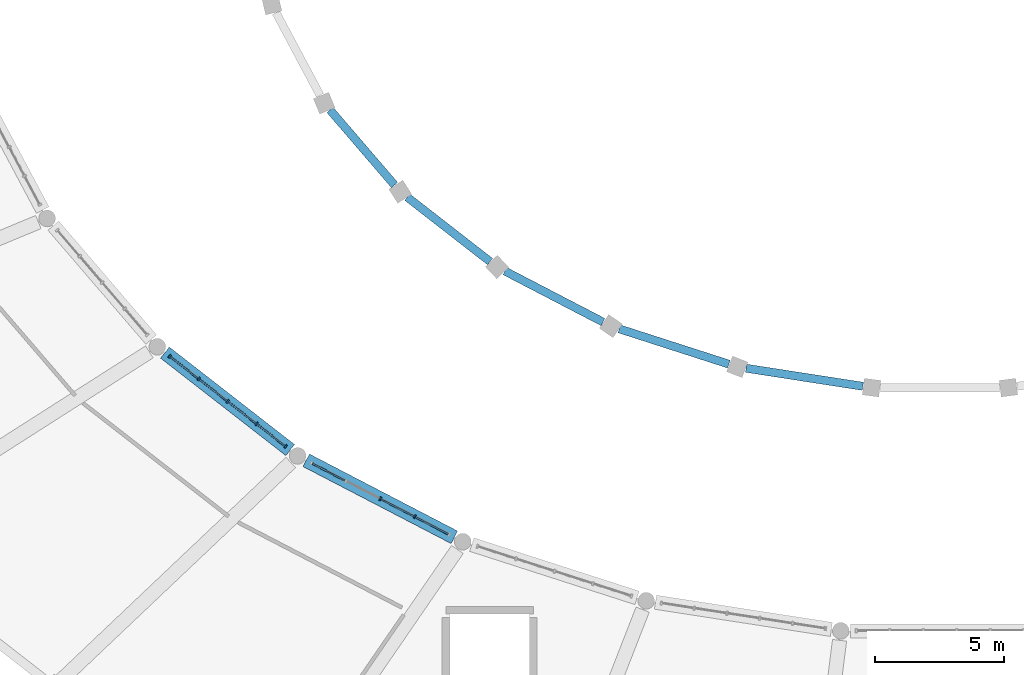
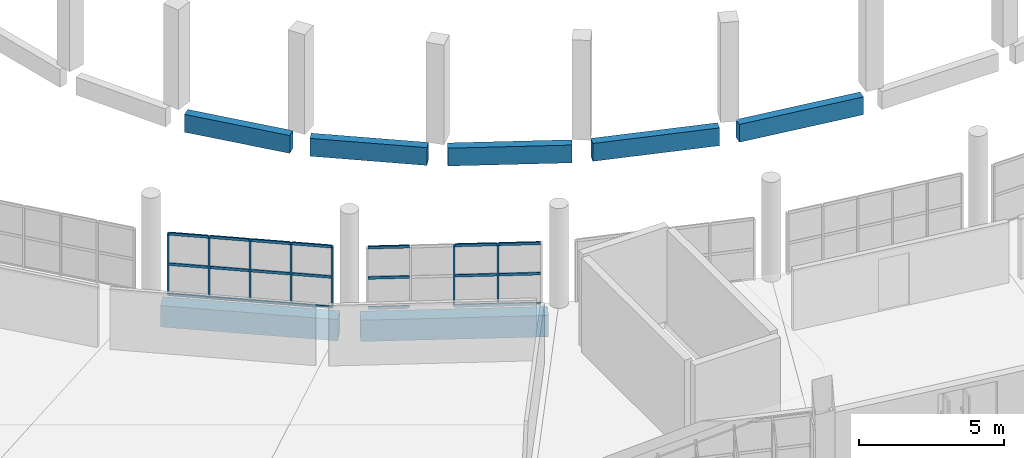
# One storey, part 14 of 142: 28 members, 7 beams, 2 elements without a shape of their own.
"""IFC4 building model written with IfcOpenShell, lengths in metres."""

from ifc_helpers import new_model, si_unit, direction, frame, origin, origin_2d, place, context, subcontext, project, spatial, rectangle, extrude, material, layer, layer_set, material_profile, profile_set, type_object, element, aggregate, save


model = new_model("IFC4")

# Units and contexts
model_context = context("Model", 3, precision=1e-05, world=origin(), true_north=direction((0.0, 1.0)))
body_context = subcontext(model_context, "Body", "Model", "MODEL_VIEW")
ifc_project = project(units=[si_unit("LENGTHUNIT", "METRE"), si_unit("AREAUNIT", "SQUARE_METRE"), si_unit("VOLUMEUNIT", "CUBIC_METRE"), si_unit("PLANEANGLEUNIT", "RADIAN"), si_unit("MASSUNIT", "GRAM", prefix="KILO")], contexts=[model_context])

# Site, building, storey
site_placement = place(None, origin())
site = spatial("IfcSite", under=ifc_project, at=site_placement, CompositionType="ELEMENT")
building_placement = place(site_placement, origin())
building = spatial("IfcBuilding", under=site, at=building_placement, Name="Corvandel Quay Wholesale Market", CompositionType="ELEMENT")
storey_placement = place(building_placement, frame((0.0, 0.0, 10.800048828125)))
storey = spatial("IfcBuildingStorey", under=building, at=storey_placement, Name="L02", CompositionType="ELEMENT", Elevation=10.800048828125)

# Curtain wall, members
ifc_material_1 = material(Name="Bronze anodised aluminium and low-E insulated glazing", Category="aluminium")
ifc_layer_1 = layer(ifc_material_1, 0.18603515625)
ifc_layer_set_1 = layer_set([ifc_layer_1], Name="Bronze anodised aluminium and low-E insulated glazing")
curtain_wall_type_1 = type_object("IfcCurtainWallType", Name="Stick Curtain Wall System CW13 H4170", PredefinedType="NOTDEFINED", material=ifc_layer_set_1)
curtain_wall_1_placement = place(storey_placement, origin())
curtain_wall_1 = element("IfcCurtainWall", 1, at=curtain_wall_1_placement, inside=storey, type_object=curtain_wall_type_1, Name="Curtain Wall CW-0059", PredefinedType="NOTDEFINED")
ifc_material_2 = material(Name="Anodised aluminium 6063-T6", Category="aluminium")
ifc_material_profile_1 = material_profile(ifc_material_2, rectangle(XDim=0.06494140625, YDim=0.14990234375, at=origin_2d()), Name="ALU-MUL-65x150")
ifc_profile_set_1 = profile_set([ifc_material_profile_1], Name="Anodised aluminium 6063-T6")
member_type_1 = type_object("IfcMemberType", Name="Curtain Wall Mullion ML02 65x150", PredefinedType="MULLION", material=ifc_profile_set_1)
member_1_placement = place(storey_placement, frame((84.063720703125, 22.220703125, 0.0), z_axis=(0.0, 0.0, 1.0), x_axis=(-0.789405615633, 0.613871952452, 0.0)))
member_1 = element("IfcMember", 2, at=member_1_placement, type_object=member_type_1, Name="Mullion CW-0059-M00", PredefinedType="MULLION", context=body_context, shape_type="SweptSolid", body=[
    extrude(rectangle(XDim=0.06494140625, YDim=0.14990234375, at=origin_2d()), origin(), (0.0, 0.0, 1.0), 2.550048828125),
])
member_2_placement = place(storey_placement, frame((85.18994140625, 21.344482421875, 0.0), z_axis=(0.0, 0.0, 1.0), x_axis=(-0.789405615633, 0.613871952452, 0.0)))
member_2 = element("IfcMember", 3, at=member_2_placement, type_object=member_type_1, Name="Mullion CW-0059-M01", PredefinedType="MULLION", context=body_context, shape_type="SweptSolid", body=[
    extrude(rectangle(XDim=0.06494140625, YDim=0.14990234375, at=origin_2d()), origin(), (0.0, 0.0, 1.0), 2.550048828125),
])
member_3_placement = place(storey_placement, frame((86.31640625, 20.468505859375, 0.0), z_axis=(0.0, 0.0, 1.0), x_axis=(-0.789405615633, 0.613871952452, 0.0)))
member_3 = element("IfcMember", 4, at=member_3_placement, type_object=member_type_1, Name="Mullion CW-0059-M02", PredefinedType="MULLION", context=body_context, shape_type="SweptSolid", body=[
    extrude(rectangle(XDim=0.06494140625, YDim=0.14990234375, at=origin_2d()), origin(), (0.0, 0.0, 1.0), 2.550048828125),
])
member_4_placement = place(storey_placement, frame((87.44287109375, 19.59228515625, 0.0), z_axis=(0.0, 0.0, 1.0), x_axis=(-0.789405615633, 0.613871952452, 0.0)))
member_4 = element("IfcMember", 5, at=member_4_placement, type_object=member_type_1, Name="Mullion CW-0059-M03", PredefinedType="MULLION", context=body_context, shape_type="SweptSolid", body=[
    extrude(rectangle(XDim=0.06494140625, YDim=0.14990234375, at=origin_2d()), origin(), (0.0, 0.0, 1.0), 2.550048828125),
])
member_5_placement = place(storey_placement, frame((88.5693359375, 18.71630859375, 0.0), z_axis=(0.0, 0.0, 1.0), x_axis=(-0.789405615633, 0.613871952452, 0.0)))
member_5 = element("IfcMember", 6, at=member_5_placement, type_object=member_type_1, Name="Mullion CW-0059-M04", PredefinedType="MULLION", context=body_context, shape_type="SweptSolid", body=[
    extrude(rectangle(XDim=0.06494140625, YDim=0.14990234375, at=origin_2d()), origin(), (0.0, 0.0, 1.0), 2.550048828125),
])

ifc_layer_2 = layer(ifc_material_1, 0.197998046875)
ifc_layer_set_2 = layer_set([ifc_layer_2], Name="Bronze anodised aluminium and low-E insulated glazing")
curtain_wall_type_2 = type_object("IfcCurtainWallType", Name="Stick Curtain Wall System CW14 H4260", PredefinedType="NOTDEFINED", material=ifc_layer_set_2)
curtain_wall_2_placement = place(storey_placement, origin())
curtain_wall_2 = element("IfcCurtainWall", 7, at=curtain_wall_2_placement, inside=storey, type_object=curtain_wall_type_2, Name="Curtain Wall CW-0062", PredefinedType="NOTDEFINED")
member_6_placement = place(storey_placement, frame((92.24951171875, 16.681884765625, 0.0), z_axis=(0.0, 0.0, 1.0), x_axis=(-0.887332978338, 0.461129250378, 0.0)))
member_6 = element("IfcMember", 8, at=member_6_placement, type_object=member_type_1, Name="Mullion CW-0062-M02", PredefinedType="MULLION", context=body_context, shape_type="SweptSolid", body=[
    extrude(rectangle(XDim=0.06494140625, YDim=0.14990234375, at=origin_2d()), origin(), (0.0, 0.0, 1.0), 2.550048828125),
])
member_7_placement = place(storey_placement, frame((93.58642578125, 15.9873046875, 0.0), z_axis=(0.0, 0.0, 1.0), x_axis=(-0.887332978338, 0.461129250378, 0.0)))
member_7 = element("IfcMember", 9, at=member_7_placement, type_object=member_type_1, Name="Mullion CW-0062-M03", PredefinedType="MULLION", context=body_context, shape_type="SweptSolid", body=[
    extrude(rectangle(XDim=0.06494140625, YDim=0.14990234375, at=origin_2d()), origin(), (0.0, 0.0, 1.0), 2.550048828125),
])

# Member
ifc_material_profile_2 = material_profile(ifc_material_2, rectangle(XDim=0.06005859375, YDim=0.110107421875, at=origin_2d()), Name="ALU-TRN-60x110")
ifc_profile_set_2 = profile_set([ifc_material_profile_2], Name="Anodised aluminium 6063-T6")
member_type_2 = type_object("IfcMemberType", Name="Curtain Wall Transom TR02 60x110", PredefinedType="USERDEFINED", material=ifc_profile_set_2)
member_8_placement = place(storey_placement, frame((84.08935546875, 22.20068359375, 0.0), z_axis=(0.789313604412, -0.613990255533, 0.0), x_axis=(0.613990255533, 0.789313604412, 0.0)))
member_8 = element("IfcMember", 10, at=member_8_placement, type_object=member_type_2, Name="Transom CW-0059-T00-0", ObjectType="TRANSOM", PredefinedType="USERDEFINED", context=body_context, shape_type="SweptSolid", body=[
    extrude(rectangle(XDim=0.06005859375, YDim=0.110107421875, at=origin_2d()), origin(), (0.0, 0.0, 1.0), 1.36181640625),
])

member_9_placement = place(storey_placement, frame((84.08935546875, 22.20068359375, 1.27490234375), z_axis=(0.789313604412, -0.613990255533, 0.0), x_axis=(0.613990255533, 0.789313604412, 0.0)))
member_9 = element("IfcMember", 11, at=member_9_placement, type_object=member_type_2, Name="Transom CW-0059-T00-1", ObjectType="TRANSOM", PredefinedType="USERDEFINED", context=body_context, shape_type="SweptSolid", body=[
    extrude(rectangle(XDim=0.06005859375, YDim=0.110107421875, at=origin_2d()), origin(), (0.0, 0.0, 1.0), 1.36181640625),
])

member_10_placement = place(storey_placement, frame((84.08935546875, 22.20068359375, 2.550048828125), z_axis=(0.789313604412, -0.613990255533, 0.0), x_axis=(0.613990255533, 0.789313604412, 0.0)))
member_10 = element("IfcMember", 12, at=member_10_placement, type_object=member_type_2, Name="Transom CW-0059-T00-2", ObjectType="TRANSOM", PredefinedType="USERDEFINED", context=body_context, shape_type="SweptSolid", body=[
    extrude(rectangle(XDim=0.06005859375, YDim=0.110107421875, at=origin_2d()), origin(), (0.0, 0.0, 1.0), 1.36181640625),
])

member_11_placement = place(storey_placement, frame((85.2158203125, 21.32470703125, 0.0), z_axis=(0.789313604412, -0.613990255533, 0.0), x_axis=(0.613990255533, 0.789313604412, 0.0)))
member_11 = element("IfcMember", 13, at=member_11_placement, type_object=member_type_2, Name="Transom CW-0059-T01-0", ObjectType="TRANSOM", PredefinedType="USERDEFINED", context=body_context, shape_type="SweptSolid", body=[
    extrude(rectangle(XDim=0.06005859375, YDim=0.110107421875, at=origin_2d()), origin(), (0.0, 0.0, 1.0), 1.36181640625),
])

member_12_placement = place(storey_placement, frame((85.2158203125, 21.32470703125, 1.27490234375), z_axis=(0.789313604412, -0.613990255533, 0.0), x_axis=(0.613990255533, 0.789313604412, 0.0)))
member_12 = element("IfcMember", 14, at=member_12_placement, type_object=member_type_2, Name="Transom CW-0059-T01-1", ObjectType="TRANSOM", PredefinedType="USERDEFINED", context=body_context, shape_type="SweptSolid", body=[
    extrude(rectangle(XDim=0.06005859375, YDim=0.110107421875, at=origin_2d()), origin(), (0.0, 0.0, 1.0), 1.36181640625),
])

member_13_placement = place(storey_placement, frame((85.2158203125, 21.32470703125, 2.550048828125), z_axis=(0.789313604412, -0.613990255533, 0.0), x_axis=(0.613990255533, 0.789313604412, 0.0)))
member_13 = element("IfcMember", 15, at=member_13_placement, type_object=member_type_2, Name="Transom CW-0059-T01-2", ObjectType="TRANSOM", PredefinedType="USERDEFINED", context=body_context, shape_type="SweptSolid", body=[
    extrude(rectangle(XDim=0.06005859375, YDim=0.110107421875, at=origin_2d()), origin(), (0.0, 0.0, 1.0), 1.36181640625),
])

member_14_placement = place(storey_placement, frame((86.34228515625, 20.448486328125, 0.0), z_axis=(0.789313604412, -0.613990255533, 0.0), x_axis=(0.613990255533, 0.789313604412, 0.0)))
member_14 = element("IfcMember", 16, at=member_14_placement, type_object=member_type_2, Name="Transom CW-0059-T02-0", ObjectType="TRANSOM", PredefinedType="USERDEFINED", context=body_context, shape_type="SweptSolid", body=[
    extrude(rectangle(XDim=0.06005859375, YDim=0.110107421875, at=origin_2d()), origin(), (0.0, 0.0, 1.0), 1.36181640625),
])

member_15_placement = place(storey_placement, frame((86.34228515625, 20.448486328125, 1.27490234375), z_axis=(0.789313604412, -0.613990255533, 0.0), x_axis=(0.613990255533, 0.789313604412, 0.0)))
member_15 = element("IfcMember", 17, at=member_15_placement, type_object=member_type_2, Name="Transom CW-0059-T02-1", ObjectType="TRANSOM", PredefinedType="USERDEFINED", context=body_context, shape_type="SweptSolid", body=[
    extrude(rectangle(XDim=0.06005859375, YDim=0.110107421875, at=origin_2d()), origin(), (0.0, 0.0, 1.0), 1.36181640625),
])

member_16_placement = place(storey_placement, frame((86.34228515625, 20.448486328125, 2.550048828125), z_axis=(0.789313604412, -0.613990255533, 0.0), x_axis=(0.613990255533, 0.789313604412, 0.0)))
member_16 = element("IfcMember", 18, at=member_16_placement, type_object=member_type_2, Name="Transom CW-0059-T02-2", ObjectType="TRANSOM", PredefinedType="USERDEFINED", context=body_context, shape_type="SweptSolid", body=[
    extrude(rectangle(XDim=0.06005859375, YDim=0.110107421875, at=origin_2d()), origin(), (0.0, 0.0, 1.0), 1.36181640625),
])

member_17_placement = place(storey_placement, frame((87.468505859375, 19.572509765625, 0.0), z_axis=(0.789381170954, -0.613903385676, 0.0), x_axis=(0.613903385676, 0.789381170954, 0.0)))
member_17 = element("IfcMember", 19, at=member_17_placement, type_object=member_type_2, Name="Transom CW-0059-T03-0", ObjectType="TRANSOM", PredefinedType="USERDEFINED", context=body_context, shape_type="SweptSolid", body=[
    extrude(rectangle(XDim=0.06005859375, YDim=0.110107421875, at=origin_2d()), origin(), (0.0, 0.0, 1.0), 1.362060546875),
])

member_18_placement = place(storey_placement, frame((87.468505859375, 19.572509765625, 1.27490234375), z_axis=(0.789381170954, -0.613903385676, 0.0), x_axis=(0.613903385676, 0.789381170954, 0.0)))
member_18 = element("IfcMember", 20, at=member_18_placement, type_object=member_type_2, Name="Transom CW-0059-T03-1", ObjectType="TRANSOM", PredefinedType="USERDEFINED", context=body_context, shape_type="SweptSolid", body=[
    extrude(rectangle(XDim=0.06005859375, YDim=0.110107421875, at=origin_2d()), origin(), (0.0, 0.0, 1.0), 1.362060546875),
])

member_19_placement = place(storey_placement, frame((87.468505859375, 19.572509765625, 2.550048828125), z_axis=(0.789381170954, -0.613903385676, 0.0), x_axis=(0.613903385676, 0.789381170954, 0.0)))
member_19 = element("IfcMember", 21, at=member_19_placement, type_object=member_type_2, Name="Transom CW-0059-T03-2", ObjectType="TRANSOM", PredefinedType="USERDEFINED", context=body_context, shape_type="SweptSolid", body=[
    extrude(rectangle(XDim=0.06005859375, YDim=0.110107421875, at=origin_2d()), origin(), (0.0, 0.0, 1.0), 1.362060546875),
])

aggregate(curtain_wall_1, [member_1, member_2, member_3, member_4, member_5, member_8, member_9, member_10, member_11, member_12, member_13, member_14, member_15, member_16, member_17, member_18, member_19])

member_20_placement = place(storey_placement, frame((89.604248046875, 18.056396484375, 0.0), z_axis=(0.887341534399, -0.46111278591, 0.0), x_axis=(0.46111278591, 0.887341534399, 0.0)))
member_20 = element("IfcMember", 22, at=member_20_placement, type_object=member_type_2, Name="Transom CW-0062-T00-0", ObjectType="TRANSOM", PredefinedType="USERDEFINED", context=body_context, shape_type="SweptSolid", body=[
    extrude(rectangle(XDim=0.06005859375, YDim=0.110107421875, at=origin_2d()), origin(), (0.0, 0.0, 1.0), 1.441650390625),
])

member_21_placement = place(storey_placement, frame((89.604248046875, 18.056396484375, 1.27490234375), z_axis=(0.887341534399, -0.46111278591, 0.0), x_axis=(0.46111278591, 0.887341534399, 0.0)))
member_21 = element("IfcMember", 23, at=member_21_placement, type_object=member_type_2, Name="Transom CW-0062-T00-1", ObjectType="TRANSOM", PredefinedType="USERDEFINED", context=body_context, shape_type="SweptSolid", body=[
    extrude(rectangle(XDim=0.06005859375, YDim=0.110107421875, at=origin_2d()), origin(), (0.0, 0.0, 1.0), 1.441650390625),
])

member_22_placement = place(storey_placement, frame((89.604248046875, 18.056396484375, 2.550048828125), z_axis=(0.887341534399, -0.46111278591, 0.0), x_axis=(0.46111278591, 0.887341534399, 0.0)))
member_22 = element("IfcMember", 24, at=member_22_placement, type_object=member_type_2, Name="Transom CW-0062-T00-2", ObjectType="TRANSOM", PredefinedType="USERDEFINED", context=body_context, shape_type="SweptSolid", body=[
    extrude(rectangle(XDim=0.06005859375, YDim=0.110107421875, at=origin_2d()), origin(), (0.0, 0.0, 1.0), 1.441650390625),
])

member_23_placement = place(storey_placement, frame((92.2783203125, 16.6669921875, 0.0), z_axis=(0.887341534399, -0.46111278591, 0.0), x_axis=(0.46111278591, 0.887341534399, 0.0)))
member_23 = element("IfcMember", 25, at=member_23_placement, type_object=member_type_2, Name="Transom CW-0062-T02-0", ObjectType="TRANSOM", PredefinedType="USERDEFINED", context=body_context, shape_type="SweptSolid", body=[
    extrude(rectangle(XDim=0.06005859375, YDim=0.110107421875, at=origin_2d()), origin(), (0.0, 0.0, 1.0), 1.441650390625),
])

member_24_placement = place(storey_placement, frame((92.2783203125, 16.6669921875, 1.27490234375), z_axis=(0.887341534399, -0.46111278591, 0.0), x_axis=(0.46111278591, 0.887341534399, 0.0)))
member_24 = element("IfcMember", 26, at=member_24_placement, type_object=member_type_2, Name="Transom CW-0062-T02-1", ObjectType="TRANSOM", PredefinedType="USERDEFINED", context=body_context, shape_type="SweptSolid", body=[
    extrude(rectangle(XDim=0.06005859375, YDim=0.110107421875, at=origin_2d()), origin(), (0.0, 0.0, 1.0), 1.441650390625),
])

member_25_placement = place(storey_placement, frame((92.2783203125, 16.6669921875, 2.550048828125), z_axis=(0.887341534399, -0.46111278591, 0.0), x_axis=(0.46111278591, 0.887341534399, 0.0)))
member_25 = element("IfcMember", 27, at=member_25_placement, type_object=member_type_2, Name="Transom CW-0062-T02-2", ObjectType="TRANSOM", PredefinedType="USERDEFINED", context=body_context, shape_type="SweptSolid", body=[
    extrude(rectangle(XDim=0.06005859375, YDim=0.110107421875, at=origin_2d()), origin(), (0.0, 0.0, 1.0), 1.441650390625),
])

member_26_placement = place(storey_placement, frame((93.615478515625, 15.972412109375, 0.0), z_axis=(0.887341534399, -0.46111278591, 0.0), x_axis=(0.46111278591, 0.887341534399, 0.0)))
member_26 = element("IfcMember", 28, at=member_26_placement, type_object=member_type_2, Name="Transom CW-0062-T03-0", ObjectType="TRANSOM", PredefinedType="USERDEFINED", context=body_context, shape_type="SweptSolid", body=[
    extrude(rectangle(XDim=0.06005859375, YDim=0.110107421875, at=origin_2d()), origin(), (0.0, 0.0, 1.0), 1.441650390625),
])

member_27_placement = place(storey_placement, frame((93.615478515625, 15.972412109375, 1.27490234375), z_axis=(0.887341534399, -0.46111278591, 0.0), x_axis=(0.46111278591, 0.887341534399, 0.0)))
member_27 = element("IfcMember", 29, at=member_27_placement, type_object=member_type_2, Name="Transom CW-0062-T03-1", ObjectType="TRANSOM", PredefinedType="USERDEFINED", context=body_context, shape_type="SweptSolid", body=[
    extrude(rectangle(XDim=0.06005859375, YDim=0.110107421875, at=origin_2d()), origin(), (0.0, 0.0, 1.0), 1.441650390625),
])

member_28_placement = place(storey_placement, frame((93.615478515625, 15.972412109375, 2.550048828125), z_axis=(0.887341534399, -0.46111278591, 0.0), x_axis=(0.46111278591, 0.887341534399, 0.0)))
member_28 = element("IfcMember", 30, at=member_28_placement, type_object=member_type_2, Name="Transom CW-0062-T03-2", ObjectType="TRANSOM", PredefinedType="USERDEFINED", context=body_context, shape_type="SweptSolid", body=[
    extrude(rectangle(XDim=0.06005859375, YDim=0.110107421875, at=origin_2d()), origin(), (0.0, 0.0, 1.0), 1.441650390625),
])

aggregate(curtain_wall_2, [member_6, member_7, member_20, member_21, member_22, member_23, member_24, member_25, member_26, member_27, member_28])

# Beams
ifc_material_3 = material(Name="Precast concrete C45/55", Category="concrete")
ifc_material_profile_3 = material_profile(ifc_material_3, rectangle(XDim=0.320068359375, YDim=0.75, at=origin_2d()), Name="PC-SPN-320x750")
ifc_profile_set_3 = profile_set([ifc_material_profile_3], Name="Precast concrete C45/55")
beam_type_1 = type_object("IfcBeamType", Name="Pavilion Precast Spandrel SP02 320x750", PredefinedType="SPANDREL", material=ifc_profile_set_3)
beam_1_placement = place(storey_placement, frame((90.2978515625, 31.791259765625, -0.695068359375), z_axis=(0.651617210096, -0.758547962562, 0.0), x_axis=(0.758547962562, 0.651617210096, 0.0)))
element("IfcBeam", 31, at=beam_1_placement, inside=storey, type_object=beam_type_1, Name="Beam BM-0236", PredefinedType="SPANDREL", context=body_context, shape_type="SweptSolid", body=[
    extrude(rectangle(XDim=0.320068359375, YDim=0.75, at=origin_2d()), origin(), (0.0, 0.0, 1.0), 3.844970703125),
])
beam_2_placement = place(storey_placement, frame((93.30029296875, 28.401123046875, -0.695068359375), z_axis=(0.789394159963, -0.61388668353, 0.0), x_axis=(0.61388668353, 0.789394159963, 0.0)))
element("IfcBeam", 32, at=beam_2_placement, inside=storey, type_object=beam_type_1, Name="Beam BM-0248", PredefinedType="SPANDREL", context=body_context, shape_type="SweptSolid", body=[
    extrude(rectangle(XDim=0.320068359375, YDim=0.75, at=origin_2d()), origin(), (0.0, 0.0, 1.0), 4.074462890625),
])
beam_3_placement = place(storey_placement, frame((97.09521484375, 25.52880859375, -0.695068359375), z_axis=(0.887335015859, -0.461125329634, 0.0), x_axis=(0.461125329634, 0.887335015859, 0.0)))
element("IfcBeam", 33, at=beam_3_placement, inside=storey, type_object=beam_type_1, Name="Beam BM-0260", PredefinedType="SPANDREL", context=body_context, shape_type="SweptSolid", body=[
    extrude(rectangle(XDim=0.320068359375, YDim=0.75, at=origin_2d()), origin(), (0.0, 0.0, 1.0), 4.293212890625),
])
beam_4_placement = place(storey_placement, frame((101.539306640625, 23.2841796875, -0.695068359375), z_axis=(0.951818159788, -0.306662992057, 0.0), x_axis=(0.306662992057, 0.951818159788, 0.0)))
element("IfcBeam", 34, at=beam_4_placement, inside=storey, type_object=beam_type_1, Name="Beam BM-0271", PredefinedType="SPANDREL", context=body_context, shape_type="SweptSolid", body=[
    extrude(rectangle(XDim=0.320068359375, YDim=0.75, at=origin_2d()), origin(), (0.0, 0.0, 1.0), 4.471923828125),
])
beam_5_placement = place(storey_placement, frame((106.46484375, 21.75439453125, -0.695068359375), z_axis=(0.988242185176, -0.152896642991, 0.0), x_axis=(0.152896642991, 0.988242185176, 0.0)))
element("IfcBeam", 35, at=beam_5_placement, inside=storey, type_object=beam_type_1, Name="Beam BM-0283", PredefinedType="SPANDREL", context=body_context, shape_type="SweptSolid", body=[
    extrude(rectangle(XDim=0.320068359375, YDim=0.75, at=origin_2d()), origin(), (0.0, 0.0, 1.0), 4.589111328125),
])
ifc_material_profile_4 = material_profile(ifc_material_3, rectangle(XDim=0.550048828125, YDim=0.89990234375, at=origin_2d()), Name="PC-GIR-550x900")
ifc_profile_set_4 = profile_set([ifc_material_profile_4], Name="Precast concrete C45/55")
beam_type_2 = type_object("IfcBeamType", Name="Produce Hall Radial Girder G03 550x900", PredefinedType="USERDEFINED", material=ifc_profile_set_4)
beam_6_placement = place(storey_placement, frame((83.882080078125, 22.36181640625, -0.77001953125), z_axis=(0.789375661281, -0.613910470164, 0.0), x_axis=(0.613910470164, 0.789375661281, 0.0)))
element("IfcBeam", 36, at=beam_6_placement, inside=storey, type_object=beam_type_2, Name="Beam BM-0247", ObjectType="GIRDER", PredefinedType="USERDEFINED", context=body_context, shape_type="SweptSolid", body=[
    extrude(rectangle(XDim=0.550048828125, YDim=0.89990234375, at=origin_2d()), origin(), (0.0, 0.0, 1.0), 6.16796875),
])
beam_7_placement = place(storey_placement, frame((89.371337890625, 18.177490234375, -0.77001953125), z_axis=(0.887364026479, -0.461069500738, 0.0), x_axis=(0.461069500738, 0.887364026479, 0.0)))
element("IfcBeam", 37, at=beam_7_placement, inside=storey, type_object=beam_type_2, Name="Beam BM-0259", ObjectType="GIRDER", PredefinedType="USERDEFINED", context=body_context, shape_type="SweptSolid", body=[
    extrude(rectangle(XDim=0.550048828125, YDim=0.89990234375, at=origin_2d()), origin(), (0.0, 0.0, 1.0), 6.487060546875),
])

save(model, "model.ifc")
